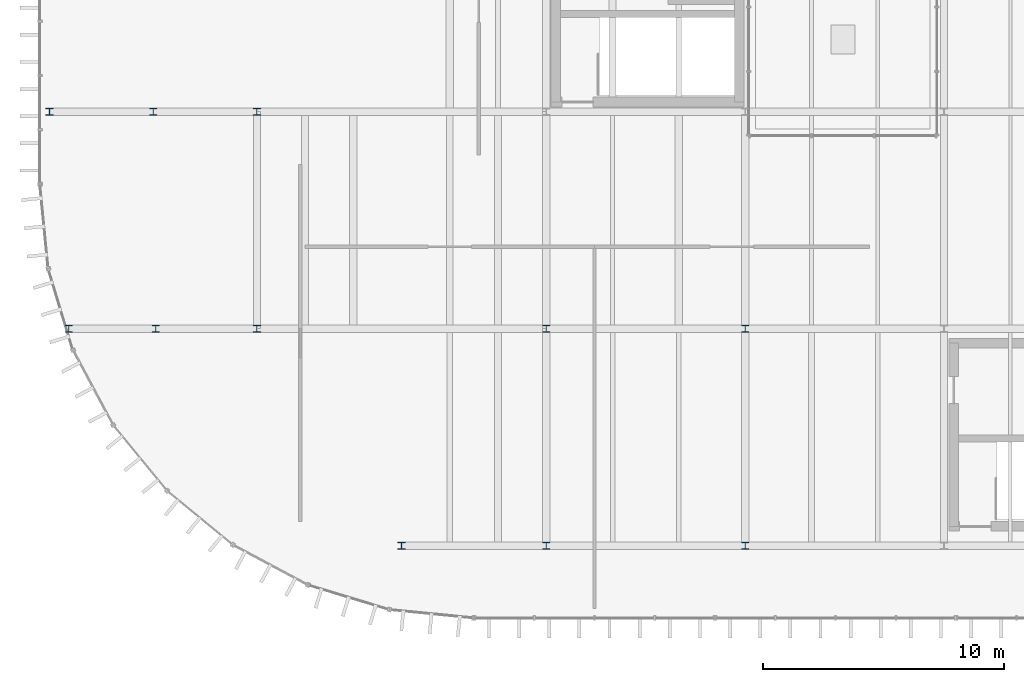
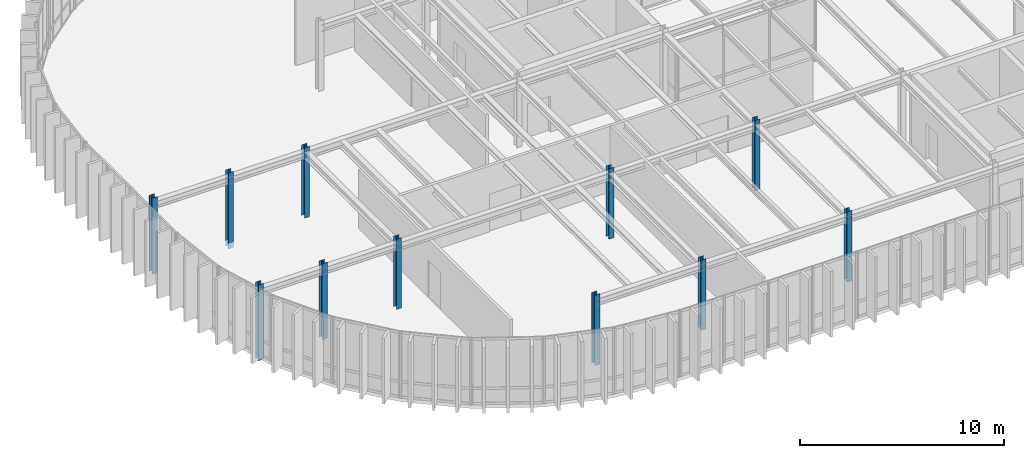
# One storey, part 1 of 21: 11 columns.
"""IFC4 building model written with IfcOpenShell, lengths in metres."""

from ifc_helpers import new_model, si_unit, direction, frame, origin, origin_2d, place, context, subcontext, project, spatial, i_section, extrude, material, material_profile, profile_set, type_object, element, save


model = new_model("IFC4")

# Units and contexts
model_context = context("Model", 3, precision=1e-05, world=origin(), true_north=direction((0.0, 1.0)))
body_context = subcontext(model_context, "Body", "Model", "MODEL_VIEW")
ifc_project = project(units=[si_unit("LENGTHUNIT", "METRE"), si_unit("AREAUNIT", "SQUARE_METRE"), si_unit("VOLUMEUNIT", "CUBIC_METRE"), si_unit("PLANEANGLEUNIT", "RADIAN"), si_unit("MASSUNIT", "GRAM", prefix="KILO")], contexts=[model_context])

# Site, building, storey
site_placement = place(None, origin())
site = spatial("IfcSite", under=ifc_project, at=site_placement, CompositionType="ELEMENT")
building_placement = place(site_placement, origin())
building = spatial("IfcBuilding", under=site, at=building_placement, Name="Montealbar Specialist Clinic", CompositionType="ELEMENT")
storey_placement = place(building_placement, frame((0.0, 0.0, 26.39990234375)))
storey = spatial("IfcBuildingStorey", under=building, at=storey_placement, Name="L06", CompositionType="ELEMENT", Elevation=26.39990234375)

# Columns
ifc_material = material(Name="Steel S355", Category="steel")
ifc_material_profile_1 = material_profile(ifc_material, i_section(OverallWidth=0.300048828125, OverallDepth=0.2900390625, WebThickness=0.008544921875, FlangeThickness=0.013916015625, FilletRadius=0.027099609375, at=origin_2d()), Name="HEA 300", Category="steel")
ifc_profile_set_1 = profile_set([ifc_material_profile_1], Name="Steel S355")
column_type_1 = type_object("IfcColumnType", Name="COL-S-L06-STD", PredefinedType="COLUMN", material=ifc_profile_set_1)
for number, where, z_axis, x_axis, name in (
    (1, (49.699951171875, 27.0, -0.33984375), (0.0, 0.0, 1.0), (1.0, 0.0, 0.0), "Column 6A/D L06"),
    (2, (49.800048828125, 18.0, -0.33984375), (0.0, 0.0, 1.0), (1.0, 0.0, 0.0), "Column 6A/C L06"),
):
    element("IfcColumn", number, at=place(storey_placement, frame(where, z_axis=z_axis, x_axis=x_axis)), inside=storey, type_object=column_type_1, Name=name, PredefinedType="COLUMN", context=body_context, shape_type="SweptSolid", body=[
        extrude(i_section(OverallWidth=0.300048828125, OverallDepth=0.2900390625, WebThickness=0.008544921875, FlangeThickness=0.013916015625, FilletRadius=0.027099609375, at=origin_2d()), origin(), (0.0, 0.0, 1.0), 4.5400390625),
    ])
for number, where, z_axis, x_axis, name in (
    (3, (54.0, 18.0, 0.0), (0.0, 0.0, 1.0), (1.0, 0.0, 0.0), "Column 7/C L06"),
    (4, (54.0, 27.0, 0.0), (0.0, 0.0, 1.0), (1.0, 0.0, 0.0), "Column 7/D L06"),
    (5, (60.0, 9.0, 0.0), (0.0, 0.0, 1.0), (1.0, 0.0, 0.0), "Column 8/B L06"),
    (6, (66.0, 9.0, 0.0), (0.0, 0.0, 1.0), (1.0, 0.0, 0.0), "Column 9/B L06"),
    (7, (66.0, 18.0, 0.0), (0.0, 0.0, 1.0), (1.0, 0.0, 0.0), "Column 9/C L06"),
    (8, (74.25, 9.0, 0.0), (0.0, 0.0, 1.0), (1.0, 0.0, 0.0), "Column 10/B L06"),
    (9, (74.25, 18.0, 0.0), (0.0, 0.0, 1.0), (1.0, 0.0, 0.0), "Column 10/C L06"),
):
    element("IfcColumn", number, at=place(storey_placement, frame(where, z_axis=z_axis, x_axis=x_axis)), inside=storey, type_object=column_type_1, Name=name, PredefinedType="COLUMN", context=body_context, shape_type="SweptSolid", body=[
        extrude(i_section(OverallWidth=0.300048828125, OverallDepth=0.2900390625, WebThickness=0.008544921875, FlangeThickness=0.013916015625, FilletRadius=0.027099609375, at=origin_2d()), origin(), (0.0, 0.0, 1.0), 4.2001953125),
    ])
ifc_material_profile_2 = material_profile(ifc_material, i_section(OverallWidth=0.300048828125, OverallDepth=0.2900390625, WebThickness=0.008544921875, FlangeThickness=0.013916015625, FilletRadius=0.027099609375, at=origin_2d()), Name="HEA 300", Category="steel")
ifc_profile_set_2 = profile_set([ifc_material_profile_2], Name="Steel S355")
column_type_2 = type_object("IfcColumnType", Name="COL-S-L06-STD-EXT", PredefinedType="COLUMN", material=ifc_profile_set_2)
for number, where, z_axis, x_axis, name in (
    (10, (45.39990234375, 27.0, -0.33984375), (0.0, 0.0, 1.0), (1.0, 0.0, 0.0), "Column 6W/D L06"),
    (11, (46.199951171875, 18.0, -0.33984375), (0.0, 0.0, 1.0), (1.0, 0.0, 0.0), "Column 6W/C L06"),
):
    element("IfcColumn", number, at=place(storey_placement, frame(where, z_axis=z_axis, x_axis=x_axis)), inside=storey, type_object=column_type_2, Name=name, PredefinedType="COLUMN", context=body_context, shape_type="SweptSolid", body=[
        extrude(i_section(OverallWidth=0.300048828125, OverallDepth=0.2900390625, WebThickness=0.008544921875, FlangeThickness=0.013916015625, FilletRadius=0.027099609375, at=origin_2d()), origin(), (0.0, 0.0, 1.0), 4.5400390625),
    ])

save(model, "model.ifc")
